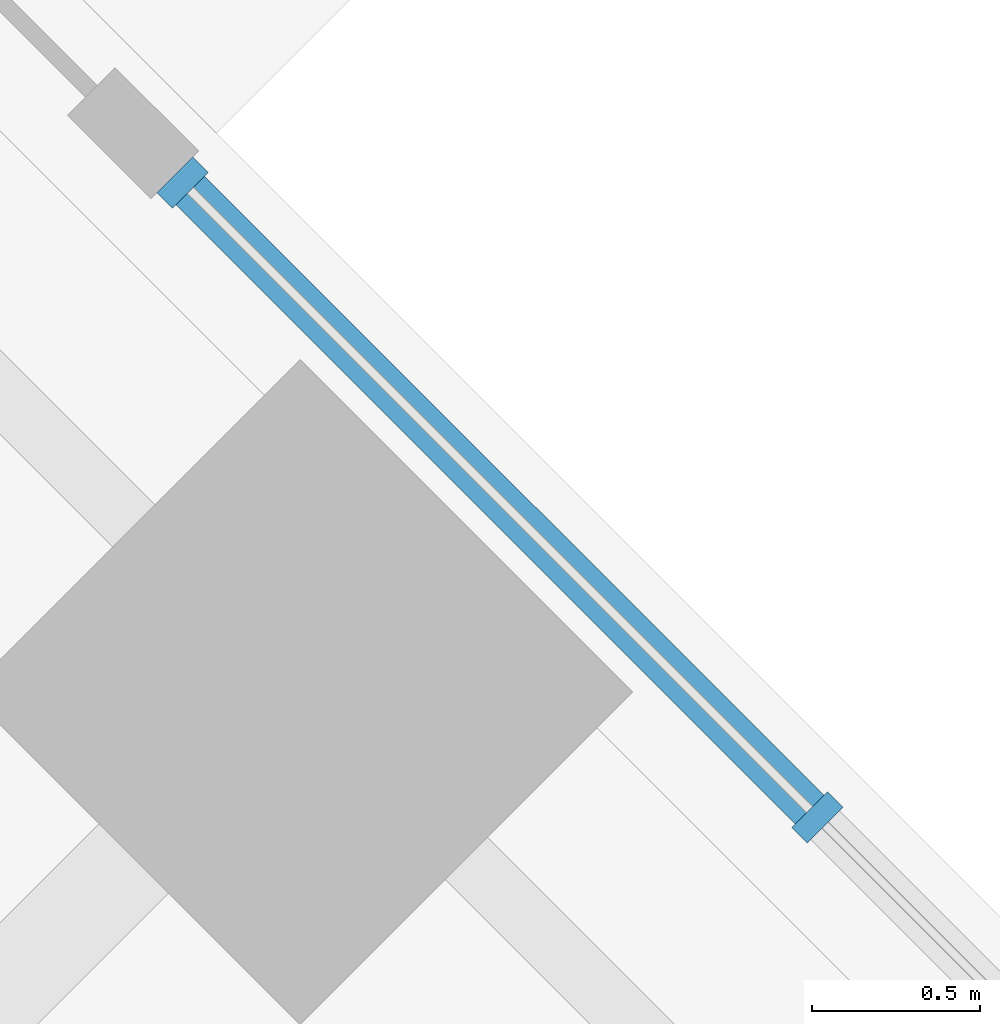
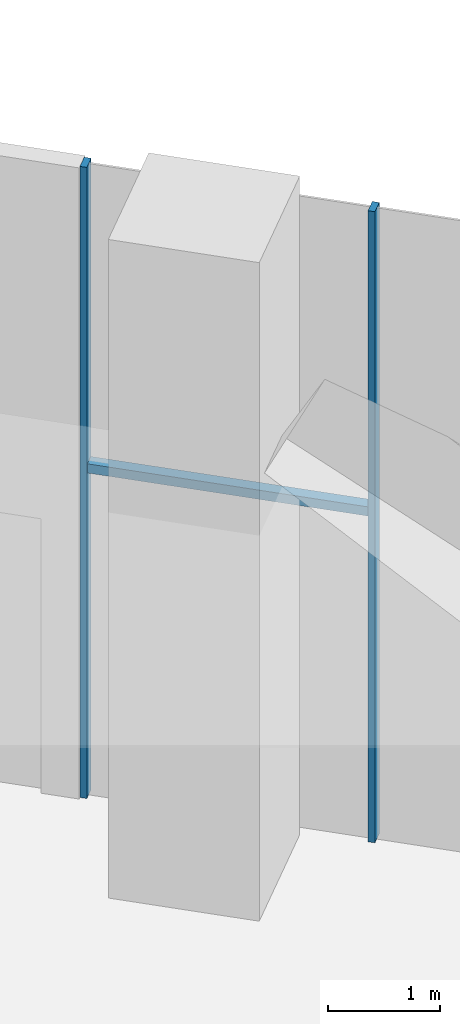
# One storey, part 11 of 35: 3 members, 1 element without a shape of its own.
"""IFC4 building model written with IfcOpenShell, lengths in metres."""

from ifc_helpers import new_model, si_unit, direction, frame, origin, origin_2d, place, context, subcontext, project, spatial, rectangle, extrude, source, transform, mapped, material, material_profile, profile_set, type_object, type_shapes, element, aggregate, save


model = new_model("IFC4")

# Units and contexts
model_context = context("Model", 3, precision=1e-05, world=origin(), true_north=direction((0.0, 1.0)))
body_context = subcontext(model_context, "Body", "Model", "MODEL_VIEW")
ifc_project = project(units=[si_unit("LENGTHUNIT", "METRE"), si_unit("AREAUNIT", "SQUARE_METRE"), si_unit("VOLUMEUNIT", "CUBIC_METRE"), si_unit("PLANEANGLEUNIT", "RADIAN"), si_unit("MASSUNIT", "GRAM", prefix="KILO")], contexts=[model_context])

# Site, building, storey
site_placement = place(None, origin())
site = spatial("IfcSite", under=ifc_project, at=site_placement, CompositionType="ELEMENT")
building_placement = place(site_placement, origin())
building = spatial("IfcBuilding", under=site, at=building_placement, Name="Mashrafa Tower", CompositionType="ELEMENT")
storey_placement = place(building_placement, origin())
storey = spatial("IfcBuildingStorey", under=building, at=storey_placement, Name="L00", CompositionType="ELEMENT", Elevation=0.0)

# Curtain wall, members
ifc_material_1 = material(Name="Unitised aluminium curtain wall", Category="aluminium")
curtain_wall_type = type_object("IfcCurtainWallType", Name="Podium storefront CW-P 150 deep", PredefinedType="NOTDEFINED", material=ifc_material_1)
curtain_wall_placement = place(storey_placement, origin())
curtain_wall = element("IfcCurtainWall", 1, at=curtain_wall_placement, inside=storey, type_object=curtain_wall_type, Name="Podium storefront L00 north-east part 1", PredefinedType="NOTDEFINED")
ifc_material_2 = material(Name="Extruded aluminium mullion", Category="aluminium")
ifc_material_profile_1 = material_profile(ifc_material_2, rectangle(XDim=0.14990234375, YDim=0.06494140625, at=origin_2d()), Name="Mullion 65x150")
ifc_profile_set_1 = profile_set([ifc_material_profile_1], Name="Extruded aluminium mullion")
member_type_1 = type_object("IfcMemberType", Name="Mullion CW-P 65 x 150", PredefinedType="MULLION", material=ifc_profile_set_1)
shared_shape_1 = source(origin(), body_context, "Body", "SweptSolid", [
    extrude(rectangle(XDim=0.14990234375, YDim=0.06494140625, at=origin_2d()), origin(), (0.0, 0.0, 1.0), 6.89990234375),
])
type_shapes(member_type_1, [shared_shape_1])
member_1_placement = place(storey_placement, frame((26.2880859375, 24.376220703125, 0.0), z_axis=(0.0, 0.0, 1.0), x_axis=(-0.707106781187, -0.707106781187, 0.0)))
member_1 = element("IfcMember", 2, at=member_1_placement, type_object=member_type_1, Name="CW-P mullion 5", PredefinedType="MULLION", context=body_context, shape_type="MappedRepresentation", body=[
    mapped(shared_shape_1, transform((0.0, 0.0, 0.0))),
])
member_2_placement = place(storey_placement, frame((24.399169921875, 26.26513671875, 0.0), z_axis=(0.0, 0.0, 1.0), x_axis=(-0.707106781187, -0.707106781187, 0.0)))
member_2 = element("IfcMember", 3, at=member_2_placement, type_object=member_type_1, Name="CW-P mullion 6", PredefinedType="MULLION", context=body_context, shape_type="MappedRepresentation", body=[
    mapped(shared_shape_1, transform((0.0, 0.0, 0.0))),
])
ifc_material_3 = material(Name="Extruded aluminium transom", Category="aluminium")
ifc_material_profile_2 = material_profile(ifc_material_3, rectangle(XDim=0.1201171875, YDim=0.10009765625, at=origin_2d()), Name="Transom 100x120")
ifc_profile_set_2 = profile_set([ifc_material_profile_2], Name="Extruded aluminium transom")
member_type_2 = type_object("IfcMemberType", Name="Transom CW-P 100 x 120", PredefinedType="MULLION", material=ifc_profile_set_2)
shared_shape_2 = source(origin(), body_context, "Body", "SweptSolid", [
    extrude(rectangle(XDim=0.1201171875, YDim=0.10009765625, at=origin_2d()), origin(), (0.0, 0.0, 1.0), 2.606201171875),
])
type_shapes(member_type_2, [shared_shape_2])
member_3_placement = place(storey_placement, frame((26.26513671875, 24.399169921875, 3.60009765625), z_axis=(-0.707153617204, 0.707059942066, 0.0), x_axis=(-0.707059942066, -0.707153617204, 0.0)))
member_3 = element("IfcMember", 4, at=member_3_placement, type_object=member_type_2, Name="CW-P transom 5", PredefinedType="MULLION", context=body_context, shape_type="MappedRepresentation", body=[
    mapped(shared_shape_2, transform((0.0, 0.0, 0.0))),
])
aggregate(curtain_wall, [member_1, member_2, member_3])

save(model, "model.ifc")
